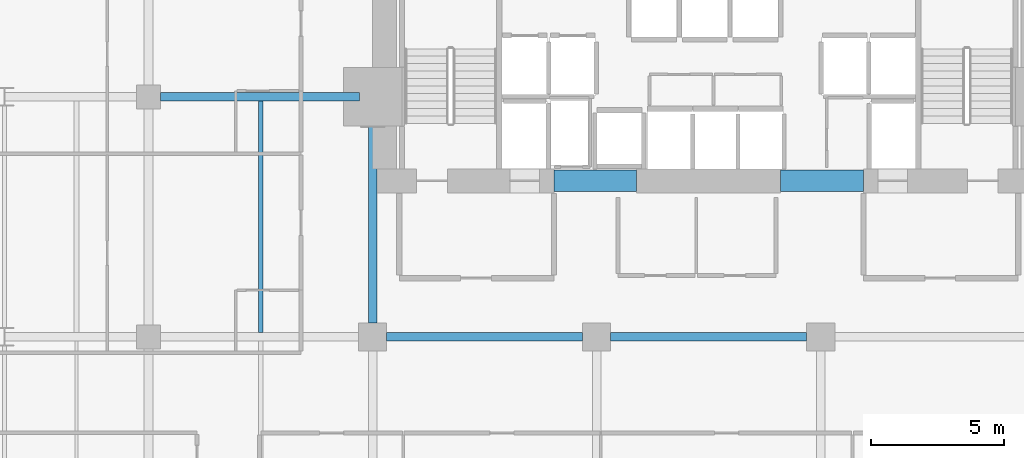
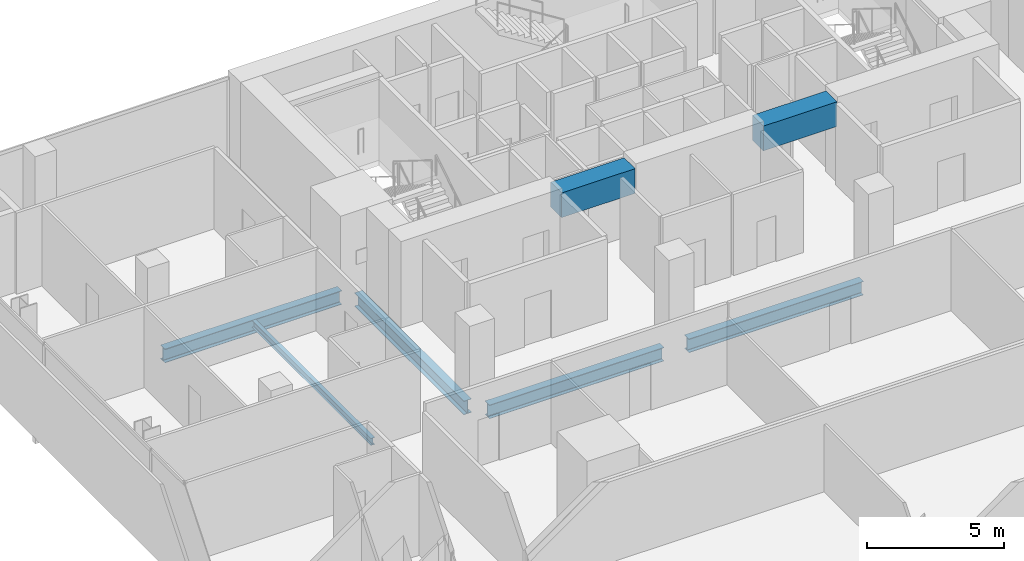
# One storey, part 24 of 40: 7 beams.
"""IFC4 building model written with IfcOpenShell, lengths in metres."""

from ifc_helpers import new_model, si_unit, direction, frame, origin, origin_2d, place, context, subcontext, project, spatial, rectangle, i_section, extrude, material, material_profile, profile_set, type_object, element, save


model = new_model("IFC4")

# Units and contexts
model_context = context("Model", 3, precision=1e-05, world=origin(), true_north=direction((0.0, 1.0)))
body_context = subcontext(model_context, "Body", "Model", "MODEL_VIEW")
ifc_project = project(units=[si_unit("LENGTHUNIT", "METRE"), si_unit("AREAUNIT", "SQUARE_METRE"), si_unit("VOLUMEUNIT", "CUBIC_METRE"), si_unit("PLANEANGLEUNIT", "RADIAN"), si_unit("MASSUNIT", "GRAM", prefix="KILO")], contexts=[model_context])

# Site, building, storey
site_placement = place(None, origin())
site = spatial("IfcSite", under=ifc_project, at=site_placement, CompositionType="ELEMENT")
building_placement = place(site_placement, origin())
building = spatial("IfcBuilding", under=site, at=building_placement, Name="Maruvema Waterfront Hotel and Observation Tower", CompositionType="ELEMENT")
storey_placement = place(building_placement, frame((0.0, 0.0, 107.800048828125)))
storey = spatial("IfcBuildingStorey", under=building, at=storey_placement, Name="L26", CompositionType="ELEMENT", Elevation=107.800048828125)

# Beams
ifc_material_1 = material(Name="Concrete C60/75", Category="concrete")
ifc_material_profile_1 = material_profile(ifc_material_1, rectangle(XDim=0.800048828125, YDim=1.10009765625, at=origin_2d()), Name="CB800x1100")
ifc_profile_set_1 = profile_set([ifc_material_profile_1], Name="Concrete C60/75")
beam_type_1 = type_object("IfcBeamType", Name="Core Coupling Lintel Beam CB800x1100", PredefinedType="LINTEL", material=ifc_profile_set_1)
for number, where, z_axis, x_axis, name in (
    (1, (32.0, 41.85009765625, 3.06005859375), (1.0, 0.0, 0.0), (0.0, 1.0, 0.0), "L26 Core Coupling Lintel Beam West"),
    (2, (40.5, 41.85009765625, 3.06005859375), (1.0, 0.0, 0.0), (0.0, 1.0, 0.0), "L26 Core Coupling Lintel Beam East"),
):
    element("IfcBeam", number, at=place(storey_placement, frame(where, z_axis=z_axis, x_axis=x_axis)), inside=storey, type_object=beam_type_1, Name=name, PredefinedType="LINTEL", context=body_context, shape_type="SweptSolid", body=[
        extrude(rectangle(XDim=0.800048828125, YDim=1.10009765625, at=origin_2d()), origin(), (0.0, 0.0, 1.0), 3.10009765625),
    ])
ifc_material_2 = material(Name="Steel ASTM A572 Grade 50", Category="steel")
ifc_material_profile_2 = material_profile(ifc_material_2, i_section(OverallWidth=0.323974609375, OverallDepth=0.611083984375, WebThickness=0.0126953125, FlangeThickness=0.01904296875, FilletRadius=0.01806640625, at=origin_2d()), Name="W610x155.0")
ifc_profile_set_2 = profile_set([ifc_material_profile_2], Name="Steel ASTM A572 Grade 50")
beam_type_2 = type_object("IfcBeamType", Name="Primary Floor Girder W610x155.0", PredefinedType="BEAM", material=ifc_profile_set_2)
beam_1_placement = place(storey_placement, frame((25.72509765625, 36.0, -0.545654296875), z_axis=(1.0, 0.0, 0.0), x_axis=(0.0, 1.0, 0.0)))
element("IfcBeam", 3, at=beam_1_placement, inside=storey, type_object=beam_type_2, Name="L26 Floor Girder EW-27", PredefinedType="BEAM", context=body_context, shape_type="SweptSolid", body=[
    extrude(i_section(OverallWidth=0.323974609375, OverallDepth=0.611083984375, WebThickness=0.0126953125, FlangeThickness=0.01904296875, FilletRadius=0.01806640625, at=origin_2d()), origin(), (0.0, 0.0, 1.0), 7.349853515625),
])
beam_2_placement = place(storey_placement, frame((34.125, 36.0, -0.545654296875), z_axis=(1.0, 0.0, 0.0), x_axis=(0.0, 1.0, 0.0)))
element("IfcBeam", 4, at=beam_2_placement, inside=storey, type_object=beam_type_2, Name="L26 Floor Girder EW-28", PredefinedType="BEAM", context=body_context, shape_type="SweptSolid", body=[
    extrude(i_section(OverallWidth=0.323974609375, OverallDepth=0.611083984375, WebThickness=0.0126953125, FlangeThickness=0.01904296875, FilletRadius=0.01806640625, at=origin_2d()), origin(), (0.0, 0.0, 1.0), 7.35009765625),
])
beam_3_placement = place(storey_placement, frame((17.25, 45.0, -0.545654296875), z_axis=(1.0, 0.0, 0.0), x_axis=(0.0, 1.0, 0.0)))
element("IfcBeam", 5, at=beam_3_placement, inside=storey, type_object=beam_type_2, Name="L26 Floor Girder EW-33", PredefinedType="BEAM", context=body_context, shape_type="SweptSolid", body=[
    extrude(i_section(OverallWidth=0.323974609375, OverallDepth=0.611083984375, WebThickness=0.0126953125, FlangeThickness=0.01904296875, FilletRadius=0.01806640625, at=origin_2d()), origin(), (0.0, 0.0, 1.0), 7.449951171875),
])
beam_4_placement = place(storey_placement, frame((25.199951171875, 36.52490234375, -0.545654296875), z_axis=(0.0, 1.0, 0.0), x_axis=(-1.0, 0.0, 0.0)))
element("IfcBeam", 6, at=beam_4_placement, inside=storey, type_object=beam_type_2, Name="L26 Floor Girder NS-15", PredefinedType="BEAM", context=body_context, shape_type="SweptSolid", body=[
    extrude(i_section(OverallWidth=0.323974609375, OverallDepth=0.611083984375, WebThickness=0.0126953125, FlangeThickness=0.01904296875, FilletRadius=0.01806640625, at=origin_2d()), origin(), (0.0, 0.0, 1.0), 7.97509765625),
])
ifc_material_3 = material(Name="Steel ASTM A572 Grade 50", Category="steel")
ifc_material_profile_3 = material_profile(ifc_material_3, i_section(OverallWidth=0.1650390625, OverallDepth=0.31005859375, WebThickness=0.005859375, FlangeThickness=0.009765625, FilletRadius=0.012939453125, at=origin_2d()), Name="W310x38.7")
ifc_profile_set_3 = profile_set([ifc_material_profile_3], Name="Steel ASTM A572 Grade 50")
beam_type_3 = type_object("IfcBeamType", Name="Secondary Floor Joist W310x38.7", PredefinedType="JOIST", material=ifc_profile_set_3)
beam_5_placement = place(storey_placement, frame((21.0, 36.162109375, -0.39501953125), z_axis=(0.0, 1.0, 0.0), x_axis=(-1.0, 0.0, 0.0)))
element("IfcBeam", 7, at=beam_5_placement, inside=storey, type_object=beam_type_3, Name="L26 Secondary Floor Joist JS-09", PredefinedType="JOIST", context=body_context, shape_type="SweptSolid", body=[
    extrude(i_section(OverallWidth=0.1650390625, OverallDepth=0.31005859375, WebThickness=0.005859375, FlangeThickness=0.009765625, FilletRadius=0.012939453125, at=origin_2d()), origin(), (0.0, 0.0, 1.0), 8.67578125),
])

save(model, "model.ifc")
